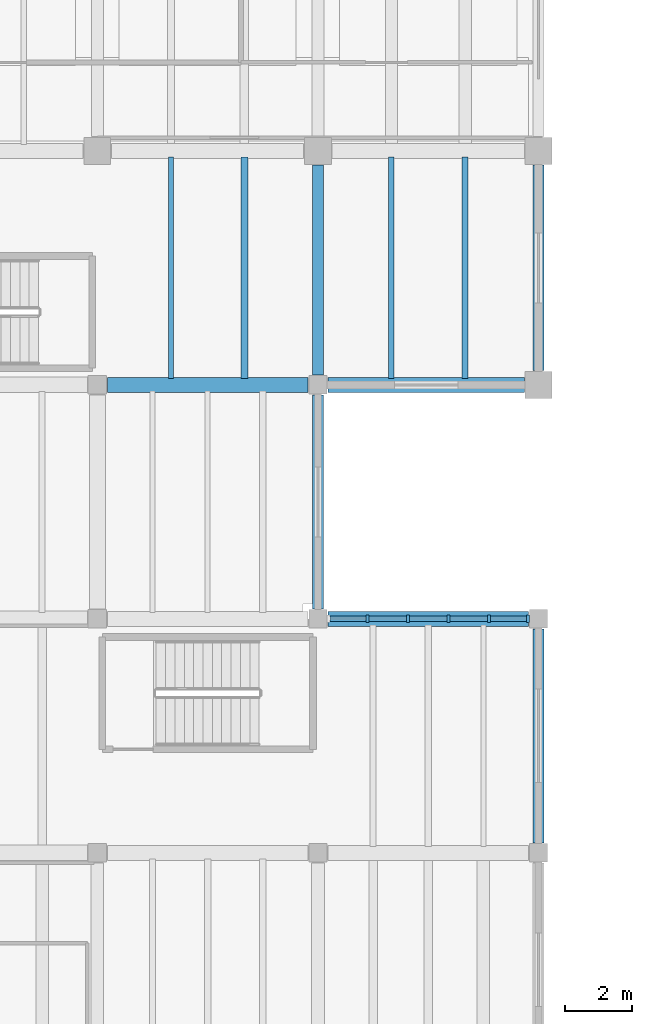
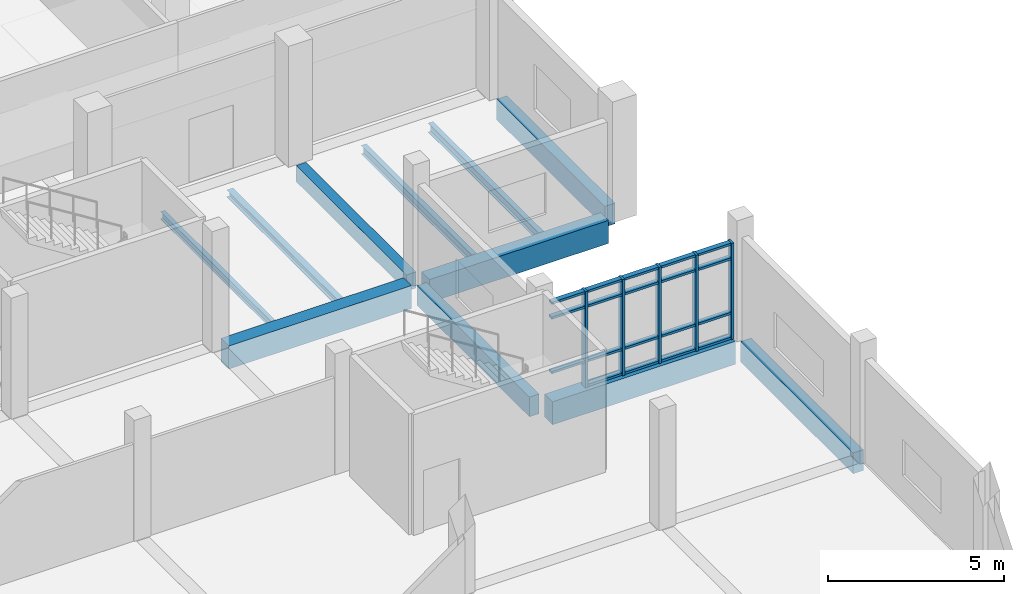
# One storey, part 31 of 67: 24 members, 11 beams, 1 element without a shape of its own.
"""IFC4 building model written with IfcOpenShell, lengths in metres."""

from ifc_helpers import new_model, si_unit, direction, frame, origin, origin_2d, place, context, subcontext, project, spatial, rectangle, i_section, extrude, material, material_profile, profile_set, type_object, element, aggregate, save


model = new_model("IFC4")

# Units and contexts
model_context = context("Model", 3, precision=1e-05, world=origin(), true_north=direction((0.0, 1.0)))
body_context = subcontext(model_context, "Body", "Model", "MODEL_VIEW")
ifc_project = project(units=[si_unit("LENGTHUNIT", "METRE"), si_unit("AREAUNIT", "SQUARE_METRE"), si_unit("VOLUMEUNIT", "CUBIC_METRE"), si_unit("PLANEANGLEUNIT", "RADIAN"), si_unit("MASSUNIT", "GRAM", prefix="KILO")], contexts=[model_context])

# Site, building, storey
site_placement = place(None, origin())
site = spatial("IfcSite", under=ifc_project, at=site_placement, CompositionType="ELEMENT")
building_placement = place(site_placement, origin())
building = spatial("IfcBuilding", under=site, at=building_placement, Name="Ciguamira Faculty of Natural Sciences", CompositionType="ELEMENT")
storey_placement = place(building_placement, frame((0.0, 0.0, 8.39990234375)))
storey = spatial("IfcBuildingStorey", under=building, at=storey_placement, Name="L02", CompositionType="ELEMENT", Elevation=8.39990234375)

# Curtain wall, members
ifc_material_1 = material(Name="Anodized aluminium curtain wall", Category="aluminium")
curtain_wall_type = type_object("IfcCurtainWallType", Name="CurtainWall_CW-09", PredefinedType="USERDEFINED", material=ifc_material_1)
curtain_wall_placement = place(storey_placement, origin())
curtain_wall = element("IfcCurtainWall", 1, at=curtain_wall_placement, inside=storey, type_object=curtain_wall_type, Name="L02 unitised curtain wall 0069", ObjectType="UNITISED CURTAIN WALL", PredefinedType="USERDEFINED")
ifc_material_2 = material(Name="Anodized aluminium mullion", Category="aluminium")
ifc_material_profile_1 = material_profile(ifc_material_2, rectangle(XDim=0.080078125, YDim=0.219970703125, at=origin_2d()), Name="ALU-MUL-80X220")
ifc_profile_set_1 = profile_set([ifc_material_profile_1], Name="Anodized aluminium mullion")
member_type_1 = type_object("IfcMemberType", Name="CWMullion_CWM-03", PredefinedType="MULLION", material=ifc_profile_set_1)
member_1_placement = place(storey_placement, frame((111.5849609375, 87.0, 0.0), z_axis=(0.0, 0.0, 1.0), x_axis=(1.0, 0.0, 0.0)))
member_1 = element("IfcMember", 2, at=member_1_placement, type_object=member_type_1, Name="CW-09 mullion 2", PredefinedType="MULLION", context=body_context, shape_type="SweptSolid", body=[
    extrude(rectangle(XDim=0.080078125, YDim=0.219970703125, at=origin_2d()), origin(), (0.0, 0.0, 1.0), 3.34521484375),
])
member_2_placement = place(storey_placement, frame((112.794921875, 87.0, 0.0), z_axis=(0.0, 0.0, 1.0), x_axis=(1.0, 0.0, 0.0)))
member_2 = element("IfcMember", 3, at=member_2_placement, type_object=member_type_1, Name="CW-09 mullion 3", PredefinedType="MULLION", context=body_context, shape_type="SweptSolid", body=[
    extrude(rectangle(XDim=0.080078125, YDim=0.219970703125, at=origin_2d()), origin(), (0.0, 0.0, 1.0), 3.34521484375),
])
member_3_placement = place(storey_placement, frame((114.0048828125, 87.0, 0.0), z_axis=(0.0, 0.0, 1.0), x_axis=(1.0, 0.0, 0.0)))
member_3 = element("IfcMember", 4, at=member_3_placement, type_object=member_type_1, Name="CW-09 mullion 4", PredefinedType="MULLION", context=body_context, shape_type="SweptSolid", body=[
    extrude(rectangle(XDim=0.080078125, YDim=0.219970703125, at=origin_2d()), origin(), (0.0, 0.0, 1.0), 3.34521484375),
])
member_4_placement = place(storey_placement, frame((115.215087890625, 87.0, 0.0), z_axis=(0.0, 0.0, 1.0), x_axis=(1.0, 0.0, 0.0)))
member_4 = element("IfcMember", 5, at=member_4_placement, type_object=member_type_1, Name="CW-09 mullion 5", PredefinedType="MULLION", context=body_context, shape_type="SweptSolid", body=[
    extrude(rectangle(XDim=0.080078125, YDim=0.219970703125, at=origin_2d()), origin(), (0.0, 0.0, 1.0), 3.34521484375),
])
member_5_placement = place(storey_placement, frame((116.385009765625, 87.0, 0.0), z_axis=(0.0, 0.0, 1.0), x_axis=(1.0, 0.0, 0.0)))
member_5 = element("IfcMember", 6, at=member_5_placement, type_object=member_type_1, Name="CW-09 mullion 6", PredefinedType="MULLION", context=body_context, shape_type="SweptSolid", body=[
    extrude(rectangle(XDim=0.080078125, YDim=0.219970703125, at=origin_2d()), origin(), (0.0, 0.0, 1.0), 3.34521484375),
])
ifc_material_3 = material(Name="Anodized aluminium transom", Category="aluminium")
ifc_material_profile_2 = material_profile(ifc_material_3, rectangle(XDim=0.080078125, YDim=0.159912109375, at=origin_2d()), Name="ALU-TRN-80X160")
ifc_profile_set_2 = profile_set([ifc_material_profile_2], Name="Anodized aluminium transom")
member_type_2 = type_object("IfcMemberType", Name="CWTransom_CWT-03", PredefinedType="USERDEFINED", material=ifc_profile_set_2)
member_6_placement = place(storey_placement, frame((110.455078125, 87.0, 0.900146484375), z_axis=(1.0, 0.0, 0.0), x_axis=(0.0, 0.0, 1.0)))
member_6 = element("IfcMember", 7, at=member_6_placement, type_object=member_type_2, Name="CW-09 transom 1.2", ObjectType="TRANSOM", PredefinedType="USERDEFINED", context=body_context, shape_type="SweptSolid", body=[
    extrude(rectangle(XDim=0.080078125, YDim=0.159912109375, at=origin_2d()), origin(), (0.0, 0.0, 1.0), 1.08984375),
])
member_7_placement = place(storey_placement, frame((110.455078125, 87.0, 2.795166015625), z_axis=(1.0, 0.0, 0.0), x_axis=(0.0, 0.0, 1.0)))
member_7 = element("IfcMember", 8, at=member_7_placement, type_object=member_type_2, Name="CW-09 transom 1.3", ObjectType="TRANSOM", PredefinedType="USERDEFINED", context=body_context, shape_type="SweptSolid", body=[
    extrude(rectangle(XDim=0.080078125, YDim=0.159912109375, at=origin_2d()), origin(), (0.0, 0.0, 1.0), 1.08984375),
])
member_8_placement = place(storey_placement, frame((110.455078125, 87.0, 3.30517578125), z_axis=(1.0, 0.0, 0.0), x_axis=(0.0, 0.0, 1.0)))
member_8 = element("IfcMember", 9, at=member_8_placement, type_object=member_type_2, Name="CW-09 transom 1.4", ObjectType="TRANSOM", PredefinedType="USERDEFINED", context=body_context, shape_type="SweptSolid", body=[
    extrude(rectangle(XDim=0.080078125, YDim=0.159912109375, at=origin_2d()), origin(), (0.0, 0.0, 1.0), 1.08984375),
])
member_9_placement = place(storey_placement, frame((111.625, 87.0, 0.0400390625), z_axis=(1.0, 0.0, 0.0), x_axis=(0.0, 0.0, 1.0)))
member_9 = element("IfcMember", 10, at=member_9_placement, type_object=member_type_2, Name="CW-09 transom 2.1", ObjectType="TRANSOM", PredefinedType="USERDEFINED", context=body_context, shape_type="SweptSolid", body=[
    extrude(rectangle(XDim=0.080078125, YDim=0.159912109375, at=origin_2d()), origin(), (0.0, 0.0, 1.0), 1.1298828125),
])
member_10_placement = place(storey_placement, frame((111.625, 87.0, 0.900146484375), z_axis=(1.0, 0.0, 0.0), x_axis=(0.0, 0.0, 1.0)))
member_10 = element("IfcMember", 11, at=member_10_placement, type_object=member_type_2, Name="CW-09 transom 2.2", ObjectType="TRANSOM", PredefinedType="USERDEFINED", context=body_context, shape_type="SweptSolid", body=[
    extrude(rectangle(XDim=0.080078125, YDim=0.159912109375, at=origin_2d()), origin(), (0.0, 0.0, 1.0), 1.1298828125),
])
member_11_placement = place(storey_placement, frame((111.625, 87.0, 2.795166015625), z_axis=(1.0, 0.0, 0.0), x_axis=(0.0, 0.0, 1.0)))
member_11 = element("IfcMember", 12, at=member_11_placement, type_object=member_type_2, Name="CW-09 transom 2.3", ObjectType="TRANSOM", PredefinedType="USERDEFINED", context=body_context, shape_type="SweptSolid", body=[
    extrude(rectangle(XDim=0.080078125, YDim=0.159912109375, at=origin_2d()), origin(), (0.0, 0.0, 1.0), 1.1298828125),
])
member_12_placement = place(storey_placement, frame((111.625, 87.0, 3.30517578125), z_axis=(1.0, 0.0, 0.0), x_axis=(0.0, 0.0, 1.0)))
member_12 = element("IfcMember", 13, at=member_12_placement, type_object=member_type_2, Name="CW-09 transom 2.4", ObjectType="TRANSOM", PredefinedType="USERDEFINED", context=body_context, shape_type="SweptSolid", body=[
    extrude(rectangle(XDim=0.080078125, YDim=0.159912109375, at=origin_2d()), origin(), (0.0, 0.0, 1.0), 1.1298828125),
])
member_13_placement = place(storey_placement, frame((112.8349609375, 87.0, 0.0400390625), z_axis=(1.0, 0.0, 0.0), x_axis=(0.0, 0.0, 1.0)))
member_13 = element("IfcMember", 14, at=member_13_placement, type_object=member_type_2, Name="CW-09 transom 3.1", ObjectType="TRANSOM", PredefinedType="USERDEFINED", context=body_context, shape_type="SweptSolid", body=[
    extrude(rectangle(XDim=0.080078125, YDim=0.159912109375, at=origin_2d()), origin(), (0.0, 0.0, 1.0), 1.130126953125),
])
member_14_placement = place(storey_placement, frame((112.8349609375, 87.0, 0.900146484375), z_axis=(1.0, 0.0, 0.0), x_axis=(0.0, 0.0, 1.0)))
member_14 = element("IfcMember", 15, at=member_14_placement, type_object=member_type_2, Name="CW-09 transom 3.2", ObjectType="TRANSOM", PredefinedType="USERDEFINED", context=body_context, shape_type="SweptSolid", body=[
    extrude(rectangle(XDim=0.080078125, YDim=0.159912109375, at=origin_2d()), origin(), (0.0, 0.0, 1.0), 1.130126953125),
])
member_15_placement = place(storey_placement, frame((112.8349609375, 87.0, 2.795166015625), z_axis=(1.0, 0.0, 0.0), x_axis=(0.0, 0.0, 1.0)))
member_15 = element("IfcMember", 16, at=member_15_placement, type_object=member_type_2, Name="CW-09 transom 3.3", ObjectType="TRANSOM", PredefinedType="USERDEFINED", context=body_context, shape_type="SweptSolid", body=[
    extrude(rectangle(XDim=0.080078125, YDim=0.159912109375, at=origin_2d()), origin(), (0.0, 0.0, 1.0), 1.130126953125),
])
member_16_placement = place(storey_placement, frame((112.8349609375, 87.0, 3.30517578125), z_axis=(1.0, 0.0, 0.0), x_axis=(0.0, 0.0, 1.0)))
member_16 = element("IfcMember", 17, at=member_16_placement, type_object=member_type_2, Name="CW-09 transom 3.4", ObjectType="TRANSOM", PredefinedType="USERDEFINED", context=body_context, shape_type="SweptSolid", body=[
    extrude(rectangle(XDim=0.080078125, YDim=0.159912109375, at=origin_2d()), origin(), (0.0, 0.0, 1.0), 1.130126953125),
])
member_17_placement = place(storey_placement, frame((114.044921875, 87.0, 0.0400390625), z_axis=(1.0, 0.0, 0.0), x_axis=(0.0, 0.0, 1.0)))
member_17 = element("IfcMember", 18, at=member_17_placement, type_object=member_type_2, Name="CW-09 transom 4.1", ObjectType="TRANSOM", PredefinedType="USERDEFINED", context=body_context, shape_type="SweptSolid", body=[
    extrude(rectangle(XDim=0.080078125, YDim=0.159912109375, at=origin_2d()), origin(), (0.0, 0.0, 1.0), 1.130126953125),
])
member_18_placement = place(storey_placement, frame((114.044921875, 87.0, 0.900146484375), z_axis=(1.0, 0.0, 0.0), x_axis=(0.0, 0.0, 1.0)))
member_18 = element("IfcMember", 19, at=member_18_placement, type_object=member_type_2, Name="CW-09 transom 4.2", ObjectType="TRANSOM", PredefinedType="USERDEFINED", context=body_context, shape_type="SweptSolid", body=[
    extrude(rectangle(XDim=0.080078125, YDim=0.159912109375, at=origin_2d()), origin(), (0.0, 0.0, 1.0), 1.130126953125),
])
member_19_placement = place(storey_placement, frame((114.044921875, 87.0, 2.795166015625), z_axis=(1.0, 0.0, 0.0), x_axis=(0.0, 0.0, 1.0)))
member_19 = element("IfcMember", 20, at=member_19_placement, type_object=member_type_2, Name="CW-09 transom 4.3", ObjectType="TRANSOM", PredefinedType="USERDEFINED", context=body_context, shape_type="SweptSolid", body=[
    extrude(rectangle(XDim=0.080078125, YDim=0.159912109375, at=origin_2d()), origin(), (0.0, 0.0, 1.0), 1.130126953125),
])
member_20_placement = place(storey_placement, frame((114.044921875, 87.0, 3.30517578125), z_axis=(1.0, 0.0, 0.0), x_axis=(0.0, 0.0, 1.0)))
member_20 = element("IfcMember", 21, at=member_20_placement, type_object=member_type_2, Name="CW-09 transom 4.4", ObjectType="TRANSOM", PredefinedType="USERDEFINED", context=body_context, shape_type="SweptSolid", body=[
    extrude(rectangle(XDim=0.080078125, YDim=0.159912109375, at=origin_2d()), origin(), (0.0, 0.0, 1.0), 1.130126953125),
])
member_21_placement = place(storey_placement, frame((115.2548828125, 87.0, 0.0400390625), z_axis=(1.0, 0.0, 0.0), x_axis=(0.0, 0.0, 1.0)))
member_21 = element("IfcMember", 22, at=member_21_placement, type_object=member_type_2, Name="CW-09 transom 5.1", ObjectType="TRANSOM", PredefinedType="USERDEFINED", context=body_context, shape_type="SweptSolid", body=[
    extrude(rectangle(XDim=0.080078125, YDim=0.159912109375, at=origin_2d()), origin(), (0.0, 0.0, 1.0), 1.090087890625),
])
member_22_placement = place(storey_placement, frame((115.2548828125, 87.0, 0.900146484375), z_axis=(1.0, 0.0, 0.0), x_axis=(0.0, 0.0, 1.0)))
member_22 = element("IfcMember", 23, at=member_22_placement, type_object=member_type_2, Name="CW-09 transom 5.2", ObjectType="TRANSOM", PredefinedType="USERDEFINED", context=body_context, shape_type="SweptSolid", body=[
    extrude(rectangle(XDim=0.080078125, YDim=0.159912109375, at=origin_2d()), origin(), (0.0, 0.0, 1.0), 1.090087890625),
])
member_23_placement = place(storey_placement, frame((115.2548828125, 87.0, 2.795166015625), z_axis=(1.0, 0.0, 0.0), x_axis=(0.0, 0.0, 1.0)))
member_23 = element("IfcMember", 24, at=member_23_placement, type_object=member_type_2, Name="CW-09 transom 5.3", ObjectType="TRANSOM", PredefinedType="USERDEFINED", context=body_context, shape_type="SweptSolid", body=[
    extrude(rectangle(XDim=0.080078125, YDim=0.159912109375, at=origin_2d()), origin(), (0.0, 0.0, 1.0), 1.090087890625),
])
member_24_placement = place(storey_placement, frame((115.2548828125, 87.0, 3.30517578125), z_axis=(1.0, 0.0, 0.0), x_axis=(0.0, 0.0, 1.0)))
member_24 = element("IfcMember", 25, at=member_24_placement, type_object=member_type_2, Name="CW-09 transom 5.4", ObjectType="TRANSOM", PredefinedType="USERDEFINED", context=body_context, shape_type="SweptSolid", body=[
    extrude(rectangle(XDim=0.080078125, YDim=0.159912109375, at=origin_2d()), origin(), (0.0, 0.0, 1.0), 1.090087890625),
])
aggregate(curtain_wall, [member_1, member_2, member_3, member_4, member_5, member_6, member_7, member_8, member_9, member_10, member_11, member_12, member_13, member_14, member_15, member_16, member_17, member_18, member_19, member_20, member_21, member_22, member_23, member_24])

# Beams
ifc_material_4 = material(Name="Concrete C40/50", Category="concrete")
ifc_material_profile_3 = material_profile(ifc_material_4, rectangle(XDim=0.449951171875, YDim=0.800048828125, at=origin_2d()), Name="RC-BM-450X800")
ifc_profile_set_3 = profile_set([ifc_material_profile_3], Name="Concrete C40/50")
beam_type_1 = type_object("IfcBeamType", Name="RCBeam_BG-05_RC-BM-450X800", PredefinedType="BEAM", material=ifc_profile_set_3)
for number, where, z_axis, x_axis, name in (
    (26, (110.39990234375, 87.0, -0.39990234375), (1.0, 0.0, 0.0), (0.0, 1.0, 0.0), "L02 RC girder EW-0838"),
    (27, (103.800048828125, 94.0, -0.39990234375), (1.0, 0.0, 0.0), (0.0, 1.0, 0.0), "L02 RC girder EW-0846"),
):
    element("IfcBeam", number, at=place(storey_placement, frame(where, z_axis=z_axis, x_axis=x_axis)), inside=storey, type_object=beam_type_1, Name=name, PredefinedType="BEAM", context=body_context, shape_type="SweptSolid", body=[
        extrude(rectangle(XDim=0.449951171875, YDim=0.800048828125, at=origin_2d()), origin(), (0.0, 0.0, 1.0), 6.0),
    ])
beam_1_placement = place(storey_placement, frame((110.39990234375, 94.0, -0.39990234375), z_axis=(1.0, 0.0, 0.0), x_axis=(0.0, 1.0, 0.0)))
element("IfcBeam", 28, at=beam_1_placement, inside=storey, type_object=beam_type_1, Name="L02 RC girder EW-0847", PredefinedType="BEAM", context=body_context, shape_type="SweptSolid", body=[
    extrude(rectangle(XDim=0.449951171875, YDim=0.800048828125, at=origin_2d()), origin(), (0.0, 0.0, 1.0), 5.875),
])
ifc_material_profile_4 = material_profile(ifc_material_4, rectangle(XDim=0.320068359375, YDim=0.56005859375, at=origin_2d()), Name="RC-BM-320X560")
ifc_profile_set_4 = profile_set([ifc_material_profile_4], Name="Concrete C40/50")
beam_type_2 = type_object("IfcBeamType", Name="RCBeam_BG-12_RC-BM-320X560", PredefinedType="BEAM", material=ifc_profile_set_4)
beam_2_placement = place(storey_placement, frame((110.10009765625, 94.300048828125, -0.27978515625), z_axis=(0.0, 1.0, 0.0), x_axis=(-1.0, 0.0, 0.0)))
element("IfcBeam", 29, at=beam_2_placement, inside=storey, type_object=beam_type_2, Name="L02 girder NS-0996", PredefinedType="BEAM", context=body_context, shape_type="SweptSolid", body=[
    extrude(rectangle(XDim=0.320068359375, YDim=0.56005859375, at=origin_2d()), origin(), (0.0, 0.0, 1.0), 6.27490234375),
])
ifc_material_5 = material(Name="Precast concrete C40/50", Category="concrete")
ifc_material_profile_5 = material_profile(ifc_material_5, rectangle(XDim=0.320068359375, YDim=0.679931640625, at=origin_2d()), Name="RC-SP-320X680")
ifc_profile_set_5 = profile_set([ifc_material_profile_5], Name="Precast concrete C40/50")
beam_type_3 = type_object("IfcBeamType", Name="RCBeam_SP-02_RC-SP-320X680", PredefinedType="SPANDREL", material=ifc_profile_set_5)
beam_3_placement = place(storey_placement, frame((110.10009765625, 87.300048828125, -0.33984375), z_axis=(0.0, 1.0, 0.0), x_axis=(-1.0, 0.0, 0.0)))
element("IfcBeam", 30, at=beam_3_placement, inside=storey, type_object=beam_type_3, Name="L02 girder NS-0995", PredefinedType="SPANDREL", context=body_context, shape_type="SweptSolid", body=[
    extrude(rectangle(XDim=0.320068359375, YDim=0.679931640625, at=origin_2d()), origin(), (0.0, 0.0, 1.0), 6.39990234375),
])
ifc_material_profile_6 = material_profile(ifc_material_5, rectangle(XDim=0.340087890625, YDim=0.719970703125, at=origin_2d()), Name="RC-SP-340X720")
ifc_profile_set_6 = profile_set([ifc_material_profile_6], Name="Precast concrete C40/50")
beam_type_4 = type_object("IfcBeamType", Name="RCBeam_SP-03_RC-SP-340X720", PredefinedType="SPANDREL", material=ifc_profile_set_6)
beam_4_placement = place(storey_placement, frame((116.699951171875, 80.300048828125, -0.35986328125), z_axis=(0.0, 1.0, 0.0), x_axis=(-1.0, 0.0, 0.0)))
element("IfcBeam", 31, at=beam_4_placement, inside=storey, type_object=beam_type_4, Name="L02 girder NS-1007", PredefinedType="SPANDREL", context=body_context, shape_type="SweptSolid", body=[
    extrude(rectangle(XDim=0.340087890625, YDim=0.719970703125, at=origin_2d()), origin(), (0.0, 0.0, 1.0), 6.39990234375),
])
beam_5_placement = place(storey_placement, frame((116.699951171875, 94.425048828125, -0.35986328125), z_axis=(0.0, 1.0, 0.0), x_axis=(-1.0, 0.0, 0.0)))
element("IfcBeam", 32, at=beam_5_placement, inside=storey, type_object=beam_type_4, Name="L02 girder NS-1008", PredefinedType="SPANDREL", context=body_context, shape_type="SweptSolid", body=[
    extrude(rectangle(XDim=0.340087890625, YDim=0.719970703125, at=origin_2d()), origin(), (0.0, 0.0, 1.0), 6.14990234375),
])
ifc_material_6 = material(Name="Steel ASTM A992 Grade 50", Category="steel")
ifc_material_profile_7 = material_profile(ifc_material_6, i_section(OverallWidth=0.14599609375, OverallDepth=0.259033203125, WebThickness=0.006103515625, FlangeThickness=0.009033203125, at=origin_2d()), Name="W10X22")
ifc_profile_set_7 = profile_set([ifc_material_profile_7], Name="Steel ASTM A992 Grade 50")
beam_type_5 = type_object("IfcBeamType", Name="SteelJoist_SJ-01_W10X22", PredefinedType="JOIST", material=ifc_profile_set_7)
beam_6_placement = place(storey_placement, frame((105.699951171875, 94.18505859375, -0.369384765625), z_axis=(0.0, 1.0, 0.0), x_axis=(-1.0, 0.0, 0.0)))
element("IfcBeam", 33, at=beam_6_placement, inside=storey, type_object=beam_type_5, Name="L02 composite steel joist 00913", PredefinedType="JOIST", context=body_context, shape_type="SweptSolid", body=[
    extrude(i_section(OverallWidth=0.14599609375, OverallDepth=0.259033203125, WebThickness=0.006103515625, FlangeThickness=0.009033203125, at=origin_2d()), origin(), (0.0, 0.0, 1.0), 6.6298828125),
])
ifc_material_profile_8 = material_profile(ifc_material_6, i_section(OverallWidth=0.2021484375, OverallDepth=0.2470703125, WebThickness=0.00732421875, FlangeThickness=0.010986328125, at=origin_2d()), Name="W10X33")
ifc_profile_set_8 = profile_set([ifc_material_profile_8], Name="Steel ASTM A992 Grade 50")
beam_type_6 = type_object("IfcBeamType", Name="SteelJoist_SJ-02_W10X33", PredefinedType="JOIST", material=ifc_profile_set_8)
beam_7_placement = place(storey_placement, frame((107.89990234375, 94.18505859375, -0.363525390625), z_axis=(0.0, 1.0, 0.0), x_axis=(-1.0, 0.0, 0.0)))
element("IfcBeam", 34, at=beam_7_placement, inside=storey, type_object=beam_type_6, Name="L02 composite steel joist 00914", PredefinedType="JOIST", context=body_context, shape_type="SweptSolid", body=[
    extrude(i_section(OverallWidth=0.2021484375, OverallDepth=0.2470703125, WebThickness=0.00732421875, FlangeThickness=0.010986328125, at=origin_2d()), origin(), (0.0, 0.0, 1.0), 6.6298828125),
])
ifc_material_profile_9 = material_profile(ifc_material_6, i_section(OverallWidth=0.164794921875, OverallDepth=0.309814453125, WebThickness=0.005859375, FlangeThickness=0.009765625, at=origin_2d()), Name="W12X26")
ifc_profile_set_9 = profile_set([ifc_material_profile_9], Name="Steel ASTM A992 Grade 50")
beam_type_7 = type_object("IfcBeamType", Name="SteelJoist_SJ-04_W12X26", PredefinedType="JOIST", material=ifc_profile_set_9)
beam_8_placement = place(storey_placement, frame((112.300048828125, 94.18505859375, -0.394775390625), z_axis=(0.0, 1.0, 0.0), x_axis=(-1.0, 0.0, 0.0)))
element("IfcBeam", 35, at=beam_8_placement, inside=storey, type_object=beam_type_7, Name="L02 composite steel joist 00943", PredefinedType="JOIST", context=body_context, shape_type="SweptSolid", body=[
    extrude(i_section(OverallWidth=0.164794921875, OverallDepth=0.309814453125, WebThickness=0.005859375, FlangeThickness=0.009765625, at=origin_2d()), origin(), (0.0, 0.0, 1.0), 6.6298828125),
])
ifc_material_profile_10 = material_profile(ifc_material_6, i_section(OverallWidth=0.16650390625, OverallDepth=0.3173828125, WebThickness=0.007568359375, FlangeThickness=0.01318359375, at=origin_2d()), Name="W12X35")
ifc_profile_set_10 = profile_set([ifc_material_profile_10], Name="Steel ASTM A992 Grade 50")
beam_type_8 = type_object("IfcBeamType", Name="SteelJoist_SJ-05_W12X35", PredefinedType="JOIST", material=ifc_profile_set_10)
beam_9_placement = place(storey_placement, frame((114.5, 94.18505859375, -0.398681640625), z_axis=(0.0, 1.0, 0.0), x_axis=(-1.0, 0.0, 0.0)))
element("IfcBeam", 36, at=beam_9_placement, inside=storey, type_object=beam_type_8, Name="L02 composite steel joist 00944", PredefinedType="JOIST", context=body_context, shape_type="SweptSolid", body=[
    extrude(i_section(OverallWidth=0.16650390625, OverallDepth=0.3173828125, WebThickness=0.007568359375, FlangeThickness=0.01318359375, at=origin_2d()), origin(), (0.0, 0.0, 1.0), 6.6298828125),
])

save(model, "model.ifc")
